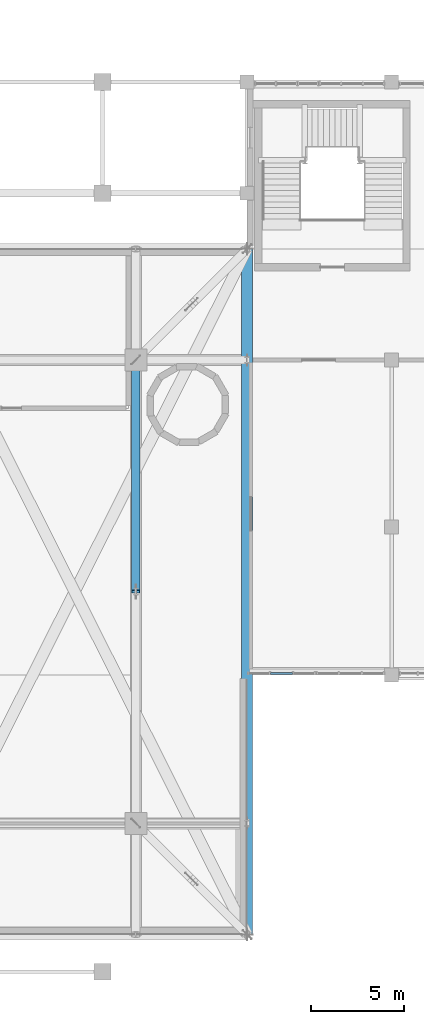
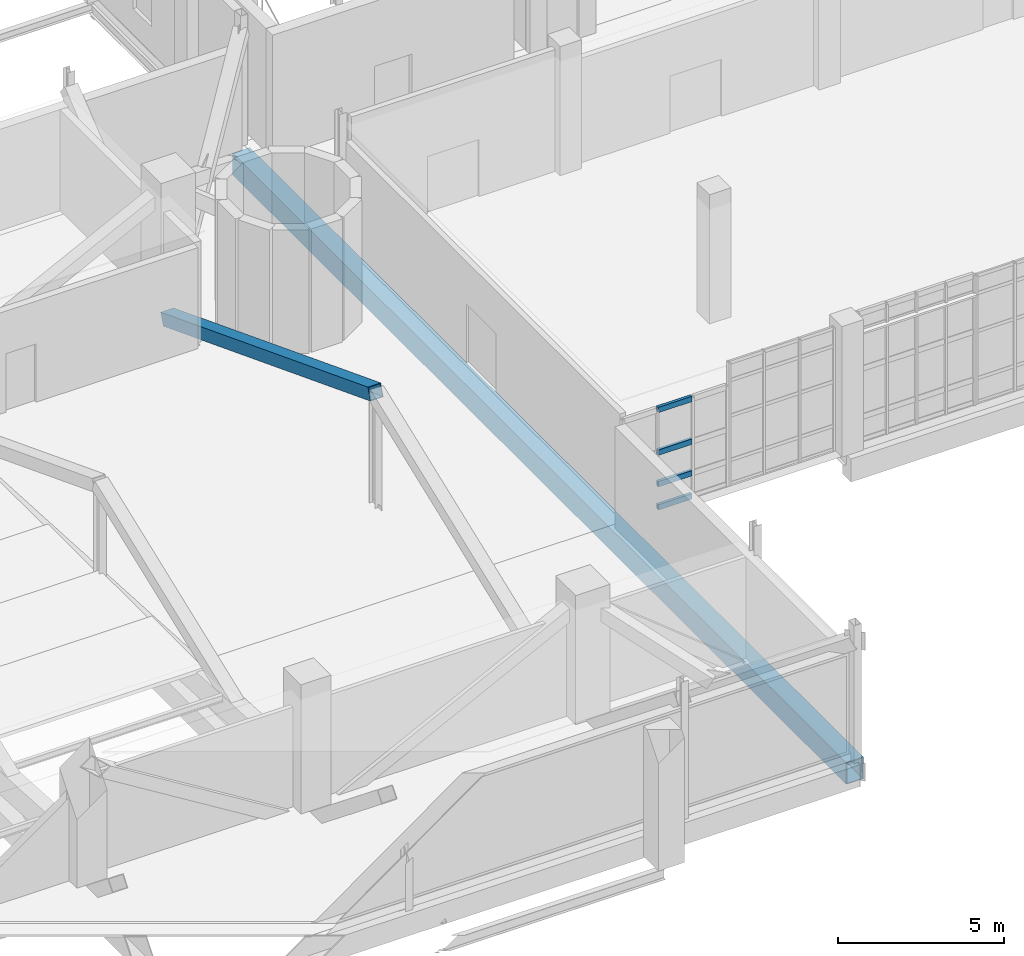
# One storey, part 56 of 127: 5 members, 1 beam, 1 element without a shape of its own.
"""IFC4 building model written with IfcOpenShell, lengths in metres."""

from ifc_helpers import new_model, si_unit, derived_unit, direction, frame, origin, origin_2d, place, context, subcontext, project, spatial, hollow_rectangle, extrude, material, layer, layer_set, material_profile, profile_set, type_object, element, aggregate, save


model = new_model("IFC4")

# Units and contexts
model_context = context("Model", 3, precision=1e-05, world=origin(), true_north=direction((0.0, 1.0)))
body_context = subcontext(model_context, "Body", "Model", "MODEL_VIEW")
ifc_project = project(units=[si_unit("LENGTHUNIT", "METRE"), si_unit("AREAUNIT", "SQUARE_METRE"), si_unit("VOLUMEUNIT", "CUBIC_METRE"), si_unit("PLANEANGLEUNIT", "RADIAN"), si_unit("MASSUNIT", "GRAM", prefix="KILO"), derived_unit("THERMALTRANSMITTANCEUNIT", [(si_unit("POWERUNIT", "WATT"), 1), (si_unit("LENGTHUNIT", "METRE"), -2), (si_unit("THERMODYNAMICTEMPERATUREUNIT", "KELVIN"), -1)])], contexts=[model_context])

# Site, building, storey
site_placement = place(None, origin())
site = spatial("IfcSite", under=ifc_project, at=site_placement, CompositionType="ELEMENT")
building_placement = place(site_placement, origin())
building = spatial("IfcBuilding", under=site, at=building_placement, Name="Nallur Shell Playhouse", CompositionType="ELEMENT")
storey_placement = place(building_placement, frame((0.0, 0.0, 5.39990234375)))
storey = spatial("IfcBuildingStorey", under=building, at=storey_placement, Name="L02", CompositionType="ELEMENT", Elevation=5.39990234375)

# Beam
ifc_material_1 = material(Name="Steel E350", Category="steel")
ifc_material_profile_1 = material_profile(ifc_material_1, hollow_rectangle(XDim=0.60009765625, YDim=0.800048828125, WallThickness=0.02490234375, at=origin_2d()), Name="BOX 600x800x25")
ifc_profile_set_1 = profile_set([ifc_material_profile_1], Name="Steel E350")
beam_type = type_object("IfcBeamType", Name="BM-TT-CHORD", PredefinedType="BEAM", material=ifc_profile_set_1)
beam_placement = place(storey_placement, frame((118.60009765625, 10.0, -0.679931640625), z_axis=(0.0, 1.0, 0.0), x_axis=(-1.0, 0.0, 0.0)))
element("IfcBeam", 1, at=beam_placement, inside=storey, type_object=beam_type, Name="Gold box perimeter chord L02-E1", PredefinedType="BEAM", context=body_context, shape_type="SweptSolid", body=[
    extrude(hollow_rectangle(XDim=0.60009765625, YDim=0.800048828125, WallThickness=0.02490234375, at=origin_2d()), origin(), (0.0, 0.0, 1.0), 37.0),
])

# Curtain wall, members
ifc_material_2 = material(Name="Anodised Aluminium Double-Glazed Facade System", Category="aluminium")
ifc_layer = layer(ifc_material_2, 0.159912109375)
ifc_layer_set = layer_set([ifc_layer], Name="Anodised Aluminium Double-Glazed Facade System")
curtain_wall_type = type_object("IfcCurtainWallType", Name="CW-UNIT-18", PredefinedType="NOTDEFINED", material=ifc_layer_set)
curtain_wall_placement = place(storey_placement, origin())
curtain_wall = element("IfcCurtainWall", 2, at=curtain_wall_placement, inside=storey, type_object=curtain_wall_type, Name="Unitised curtain wall CW-050 (L02)", PredefinedType="NOTDEFINED")
ifc_material_3 = material(Name="Aluminium Alloy 6063-T6 Transom", Category="aluminium")
ifc_material_profile_2 = material_profile(ifc_material_3, hollow_rectangle(XDim=0.10009765625, YDim=0.199951171875, WallThickness=0.008056640625, at=origin_2d()), Name="RHS 200x100x8")
ifc_profile_set_2 = profile_set([ifc_material_profile_2], Name="Aluminium Alloy 6063-T6 Transom")
member_type_1 = type_object("IfcMemberType", Name="MB-CW-TRN140", PredefinedType="USERDEFINED", material=ifc_profile_set_2)
member_1_placement = place(storey_placement, frame((121.037109375, 24.090087890625, 0.050048828125), z_axis=(-1.0, 0.0, 0.0), x_axis=(0.0, -1.0, 0.0)))
member_1 = element("IfcMember", 3, at=member_1_placement, type_object=member_type_1, Name="CW-18 transom 2.1", ObjectType="TRANSOM", PredefinedType="USERDEFINED", context=body_context, shape_type="SweptSolid", body=[
    extrude(hollow_rectangle(XDim=0.10009765625, YDim=0.199951171875, WallThickness=0.008056640625, at=origin_2d()), origin(), (0.0, 0.0, 1.0), 1.170654296875),
])
member_2_placement = place(storey_placement, frame((121.037109375, 24.090087890625, 0.900146484375), z_axis=(-1.0, 0.0, 0.0), x_axis=(0.0, -1.0, 0.0)))
member_2 = element("IfcMember", 4, at=member_2_placement, type_object=member_type_1, Name="CW-18 transom 2.2", ObjectType="TRANSOM", PredefinedType="USERDEFINED", context=body_context, shape_type="SweptSolid", body=[
    extrude(hollow_rectangle(XDim=0.10009765625, YDim=0.199951171875, WallThickness=0.008056640625, at=origin_2d()), origin(), (0.0, 0.0, 1.0), 1.170654296875),
])
member_3_placement = place(storey_placement, frame((121.037109375, 24.090087890625, 2.064208984375), z_axis=(-1.0, 0.0, 0.0), x_axis=(0.0, -1.0, 0.0)))
member_3 = element("IfcMember", 5, at=member_3_placement, type_object=member_type_1, Name="CW-18 transom 2.3", ObjectType="TRANSOM", PredefinedType="USERDEFINED", context=body_context, shape_type="SweptSolid", body=[
    extrude(hollow_rectangle(XDim=0.10009765625, YDim=0.199951171875, WallThickness=0.008056640625, at=origin_2d()), origin(), (0.0, 0.0, 1.0), 1.170654296875),
])
member_4_placement = place(storey_placement, frame((121.037109375, 24.090087890625, 3.635009765625), z_axis=(-1.0, 0.0, 0.0), x_axis=(0.0, -1.0, 0.0)))
member_4 = element("IfcMember", 6, at=member_4_placement, type_object=member_type_1, Name="CW-18 transom 2.4", ObjectType="TRANSOM", PredefinedType="USERDEFINED", context=body_context, shape_type="SweptSolid", body=[
    extrude(hollow_rectangle(XDim=0.10009765625, YDim=0.199951171875, WallThickness=0.008056640625, at=origin_2d()), origin(), (0.0, 0.0, 1.0), 1.170654296875),
])
aggregate(curtain_wall, [member_1, member_2, member_3, member_4])

# Member
ifc_material_profile_3 = material_profile(ifc_material_1, hollow_rectangle(XDim=0.449951171875, YDim=0.449951171875, WallThickness=0.02001953125, at=origin_2d()), Name="BOX 450x450x20")
ifc_profile_set_3 = profile_set([ifc_material_profile_3], Name="Steel E350")
member_type_2 = type_object("IfcMemberType", Name="MB-TT-DIAG", PredefinedType="BRACE", material=ifc_profile_set_3)
member_5_placement = place(storey_placement, frame((112.60009765625, 28.5, 4.14013671875), z_axis=(0.0, 0.933035744056, -0.359783685447), x_axis=(-1.0, 0.0, 0.0)))
element("IfcMember", 7, at=member_5_placement, inside=storey, type_object=member_type_2, Name="Transfer truss TT-8 diagonal 3", PredefinedType="BRACE", context=body_context, shape_type="SweptSolid", body=[
    extrude(hollow_rectangle(XDim=0.449951171875, YDim=0.449951171875, WallThickness=0.02001953125, at=origin_2d()), origin(), (0.0, 0.0, 1.0), 13.397216796875),
])

save(model, "model.ifc")
